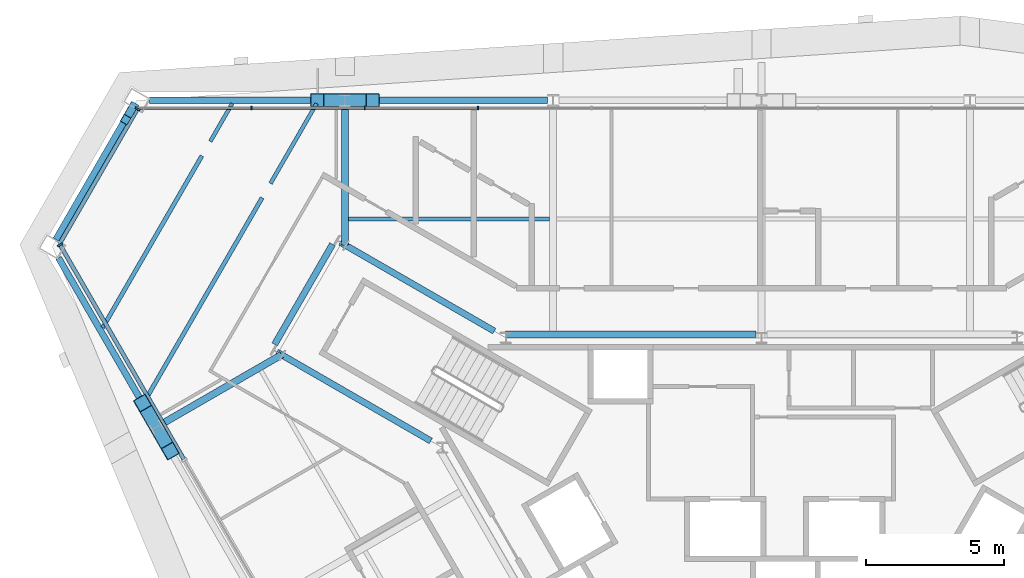
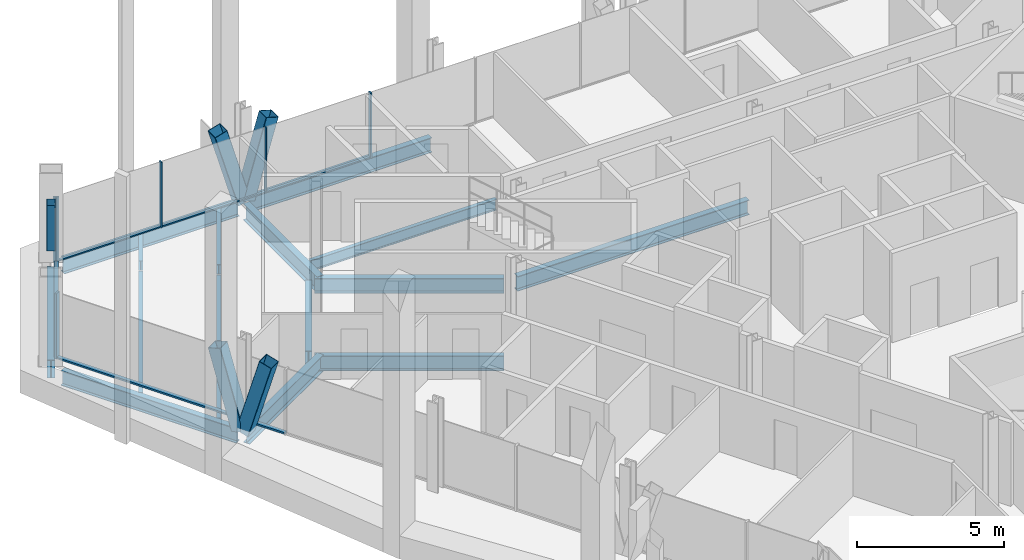
# One storey, part 5 of 14: 15 beams, 15 members, 3 elements without a shape of their own.
"""IFC4 building model written with IfcOpenShell, lengths in metres."""

from ifc_helpers import new_model, si_unit, direction, frame, origin, origin_2d, place, context, subcontext, project, spatial, rectangle, hollow_rectangle, i_section, extrude, material, material_profile, profile_set, type_object, element, aggregate, save


model = new_model("IFC4")

# Units and contexts
model_context = context("Model", 3, precision=1e-05, world=origin(), true_north=direction((0.0, 1.0)))
body_context = subcontext(model_context, "Body", "Model", "MODEL_VIEW")
ifc_project = project(units=[si_unit("LENGTHUNIT", "METRE"), si_unit("AREAUNIT", "SQUARE_METRE"), si_unit("VOLUMEUNIT", "CUBIC_METRE"), si_unit("PLANEANGLEUNIT", "RADIAN"), si_unit("MASSUNIT", "GRAM", prefix="KILO")], contexts=[model_context])

# Site, building, storey
site_placement = place(None, origin())
site = spatial("IfcSite", under=ifc_project, at=site_placement, CompositionType="ELEMENT")
building_placement = place(site_placement, origin())
building = spatial("IfcBuilding", under=site, at=building_placement, Name="Verrane Prism Tower", CompositionType="ELEMENT")
storey_placement = place(building_placement, frame((0.0, 0.0, 148.800048828125)))
storey = spatial("IfcBuildingStorey", under=building, at=storey_placement, Name="L36", CompositionType="ELEMENT", Elevation=148.800048828125)

# Member
ifc_material_1 = material(Name="Steel A500 Grade C", Category="steel")
ifc_material_profile_1 = material_profile(ifc_material_1, hollow_rectangle(XDim=0.3046875, YDim=0.3046875, WallThickness=0.0126953125, InnerFilletRadius=0.00634765625, OuterFilletRadius=0.01904296875, at=origin_2d()), Name="HSS12x12x1/2")
ifc_profile_set_1 = profile_set([ifc_material_profile_1], Name="Steel A500 Grade C")
member_type_1 = type_object("IfcMemberType", Name="Chamfer brace HSS12x12x1/2", PredefinedType="BRACE", material=ifc_profile_set_1)
member_1_placement = place(storey_placement, frame((-22.775146484375, 16.376220703125, 0.6015625), z_axis=(-0.115326879562, -0.199487168378, 0.97309022218), x_axis=(0.865737914398, -0.500497615952, 0.0)))
element("IfcMember", 1, at=member_1_placement, inside=storey, type_object=member_type_1, Name="Chamfer brace NW0 L36", PredefinedType="BRACE", context=body_context, shape_type="SweptSolid", body=[
    extrude(hollow_rectangle(XDim=0.3046875, YDim=0.3046875, WallThickness=0.0126953125, InnerFilletRadius=0.00634765625, OuterFilletRadius=0.01904296875, at=origin_2d()), origin(), (0.0, 0.0, 1.0), 2.326416015625),
])

# Beams
ifc_material_2 = material(Name="Steel A992", Category="steel")
ifc_material_profile_2 = material_profile(ifc_material_2, i_section(OverallWidth=0.2666015625, OverallDepth=0.7568359375, WebThickness=0.013916015625, FlangeThickness=0.019287109375, FilletRadius=0.0166015625, at=origin_2d()), Name="W30x108")
ifc_profile_set_2 = profile_set([ifc_material_profile_2], Name="Steel A992")
beam_type_1 = type_object("IfcBeamType", Name="Chamfer spandrel beam W30x108", PredefinedType="SPANDREL", material=ifc_profile_set_2)
beam_1_placement = place(storey_placement, frame((-22.790283203125, 16.350341796875, -0.53857421875), z_axis=(-0.50050398262, -0.865734233689, 0.0), x_axis=(0.865734233689, -0.50050398262, 0.0)))
element("IfcBeam", 2, at=beam_1_placement, inside=storey, type_object=beam_type_1, Name="Chamfer spandrel beam L36", PredefinedType="SPANDREL", context=body_context, shape_type="SweptSolid", body=[
    extrude(i_section(OverallWidth=0.2666015625, OverallDepth=0.7568359375, WebThickness=0.013916015625, FlangeThickness=0.019287109375, FilletRadius=0.0166015625, at=origin_2d()), origin(), (0.0, 0.0, 1.0), 5.533447265625),
])
ifc_material_3 = material(Name="Steel A992", Category="steel")
ifc_material_profile_3 = material_profile(ifc_material_3, i_section(OverallWidth=0.23046875, OverallDepth=0.6171875, WebThickness=0.01318359375, FlangeThickness=0.022216796875, FilletRadius=0.012939453125, at=origin_2d()), Name="W24x94")
ifc_profile_set_3 = profile_set([ifc_material_profile_3], Name="Steel A992")
beam_type_2 = type_object("IfcBeamType", Name="Core ring girder W24x94", PredefinedType="BEAM", material=ifc_profile_set_3)
beam_2_placement = place(storey_placement, frame((-0.20068359375, 8.130615234375, -0.55859375), z_axis=(-1.0, 0.0, 0.0), x_axis=(0.0, -1.0, 0.0)))
element("IfcBeam", 3, at=beam_2_placement, inside=storey, type_object=beam_type_2, Name="Core ring girder L36", PredefinedType="BEAM", context=body_context, shape_type="SweptSolid", body=[
    extrude(i_section(OverallWidth=0.23046875, OverallDepth=0.6171875, WebThickness=0.01318359375, FlangeThickness=0.022216796875, FilletRadius=0.012939453125, at=origin_2d()), origin(), (0.0, 0.0, 1.0), 9.084228515625),
])
beam_3_placement = place(storey_placement, frame((-9.68603515625, 8.24658203125, -0.55859375), z_axis=(-0.866138896394, 0.499803373492, 0.0), x_axis=(-0.499803373492, -0.866138896394, 0.0)))
element("IfcBeam", 4, at=beam_3_placement, inside=storey, type_object=beam_type_2, Name="Core ring girder L36", PredefinedType="BEAM", context=body_context, shape_type="SweptSolid", body=[
    extrude(i_section(OverallWidth=0.23046875, OverallDepth=0.6171875, WebThickness=0.01318359375, FlangeThickness=0.022216796875, FilletRadius=0.012939453125, at=origin_2d()), origin(), (0.0, 0.0, 1.0), 6.4423828125),
])
beam_4_placement = place(storey_placement, frame((-15.548095703125, 11.394775390625, -0.55859375), z_axis=(-0.500393099172, -0.865798328885, 0.0), x_axis=(0.865798328885, -0.500393099172, 0.0)))
element("IfcBeam", 5, at=beam_4_placement, inside=storey, type_object=beam_type_2, Name="Core ring girder L36", PredefinedType="BEAM", context=body_context, shape_type="SweptSolid", body=[
    extrude(i_section(OverallWidth=0.23046875, OverallDepth=0.6171875, WebThickness=0.01318359375, FlangeThickness=0.022216796875, FilletRadius=0.012939453125, at=origin_2d()), origin(), (0.0, 0.0, 1.0), 4.190673828125),
])
beam_5_placement = place(storey_placement, frame((-17.566162109375, 7.486572265625, -0.55859375), z_axis=(0.866138896394, -0.499803373492, 0.0), x_axis=(0.499803373492, 0.866138896394, 0.0)))
element("IfcBeam", 6, at=beam_5_placement, inside=storey, type_object=beam_type_2, Name="Core ring girder L36", PredefinedType="BEAM", context=body_context, shape_type="SweptSolid", body=[
    extrude(i_section(OverallWidth=0.23046875, OverallDepth=0.6171875, WebThickness=0.01318359375, FlangeThickness=0.022216796875, FilletRadius=0.012939453125, at=origin_2d()), origin(), (0.0, 0.0, 1.0), 6.4423828125),
])

# Members
ifc_material_4 = material(Name="Steel A500 Grade C", Category="steel")
ifc_material_profile_4 = material_profile(ifc_material_4, hollow_rectangle(XDim=0.508056640625, YDim=0.508056640625, WallThickness=0.01904296875, InnerFilletRadius=0.009521484375, OuterFilletRadius=0.028564453125, at=origin_2d()), Name="HSS20x20x3/4")
ifc_profile_set_4 = profile_set([ifc_material_profile_4], Name="Steel A500 Grade C")
member_type_2 = type_object("IfcMemberType", Name="Facade brace HSS20x20x3/4", PredefinedType="BRACE", material=ifc_profile_set_4)
member_2_placement = place(storey_placement, frame((-15.013427734375, 16.610107421875, -0.171630859375), z_axis=(0.279825762569, 0.0, 0.960050802095), x_axis=(0.0, 1.0, 0.0)))
element("IfcMember", 7, at=member_2_placement, inside=storey, type_object=member_type_2, Name="Facade brace N4 L36", PredefinedType="BRACE", context=body_context, shape_type="SweptSolid", body=[
    extrude(hollow_rectangle(XDim=0.508056640625, YDim=0.508056640625, WallThickness=0.01904296875, InnerFilletRadius=0.009521484375, OuterFilletRadius=0.028564453125, at=origin_2d()), origin(), (0.0, 0.0, 1.0), 3.2822265625),
])
for number, where, z_axis, x_axis, name in (
    (8, (-15.186279296875, 16.610107421875, -0.171630859375), (-0.279551496838, 0.0, 0.960130699757), (0.0, -1.0, 0.0), "Facade brace N5 L36"),
    (9, (-21.973388671875, 4.844970703125, -0.171630859375), (-0.14006879057, 0.242051962036, 0.960099776889), (-0.865529462177, -0.500858013915, 0.0), "Facade brace SW0 L36"),
):
    element("IfcMember", number, at=place(storey_placement, frame(where, z_axis=z_axis, x_axis=x_axis)), inside=storey, type_object=member_type_2, Name=name, PredefinedType="BRACE", context=body_context, shape_type="SweptSolid", body=[
        extrude(hollow_rectangle(XDim=0.508056640625, YDim=0.508056640625, WallThickness=0.01904296875, InnerFilletRadius=0.009521484375, OuterFilletRadius=0.028564453125, at=origin_2d()), origin(), (0.0, 0.0, 1.0), 3.281982421875),
    ])
member_3_placement = place(storey_placement, frame((-21.88671875, 4.695068359375, -0.171630859375), z_axis=(0.139764473405, -0.242412144133, 0.960053250789), x_axis=(0.866322743742, 0.499484638077, 0.0)))
element("IfcMember", 10, at=member_3_placement, inside=storey, type_object=member_type_2, Name="Facade brace SW1 L36", PredefinedType="BRACE", context=body_context, shape_type="SweptSolid", body=[
    extrude(hollow_rectangle(XDim=0.508056640625, YDim=0.508056640625, WallThickness=0.01904296875, InnerFilletRadius=0.009521484375, OuterFilletRadius=0.028564453125, at=origin_2d()), origin(), (0.0, 0.0, 1.0), 3.2822265625),
])

# Beams
ifc_material_5 = material(Name="Steel A992", Category="steel")
ifc_material_profile_5 = material_profile(ifc_material_5, i_section(OverallWidth=0.140380859375, OverallDepth=0.40380859375, WebThickness=0.007080078125, FlangeThickness=0.01123046875, FilletRadius=0.01025390625, at=origin_2d()), Name="W16x31")
ifc_profile_set_5 = profile_set([ifc_material_profile_5], Name="Steel A992")
beam_type_3 = type_object("IfcBeamType", Name="Floor beam W16x31", PredefinedType="BEAM", material=ifc_profile_set_5)
beam_6_placement = place(storey_placement, frame((-17.7958984375, 13.600341796875, -0.362060546875), z_axis=(0.499964822637, 0.866045712492, 0.0), x_axis=(-0.866045712492, 0.499964822637, 0.0)))
element("IfcBeam", 11, at=beam_6_placement, inside=storey, type_object=beam_type_3, Name="Floor beam L36", PredefinedType="BEAM", context=body_context, shape_type="SweptSolid", body=[
    extrude(i_section(OverallWidth=0.140380859375, OverallDepth=0.40380859375, WebThickness=0.007080078125, FlangeThickness=0.01123046875, FilletRadius=0.01025390625, at=origin_2d()), origin(), (0.0, 0.0, 1.0), 3.342529296875),
])
beam_7_placement = place(storey_placement, frame((-19.97802734375, 15.120849609375, -0.362060546875), z_axis=(0.500011000363, 0.866019052629, 0.0), x_axis=(-0.866019052629, 0.500011000363, 0.0)))
element("IfcBeam", 12, at=beam_7_placement, inside=storey, type_object=beam_type_3, Name="Floor beam L36", PredefinedType="BEAM", context=body_context, shape_type="SweptSolid", body=[
    extrude(i_section(OverallWidth=0.140380859375, OverallDepth=0.40380859375, WebThickness=0.007080078125, FlangeThickness=0.01123046875, FilletRadius=0.01025390625, at=origin_2d()), origin(), (0.0, 0.0, 1.0), 1.5869140625),
])
ifc_material_6 = material(Name="Steel A992", Category="steel")
ifc_material_profile_6 = material_profile(ifc_material_6, i_section(OverallWidth=0.15234375, OverallDepth=0.449462890625, WebThickness=0.007568359375, FlangeThickness=0.0107421875, FilletRadius=0.01025390625, at=origin_2d()), Name="W18x35")
ifc_profile_set_6 = profile_set([ifc_material_profile_6], Name="Steel A992")
beam_type_4 = type_object("IfcBeamType", Name="Floor beam W18x35", PredefinedType="BEAM", material=ifc_profile_set_6)
beam_8_placement = place(storey_placement, frame((-14.972900390625, 12.304931640625, -0.384765625), z_axis=(1.0, 0.0, 0.0), x_axis=(0.0, 1.0, 0.0)))
element("IfcBeam", 13, at=beam_8_placement, inside=storey, type_object=beam_type_4, Name="Floor beam L36", PredefinedType="BEAM", context=body_context, shape_type="SweptSolid", body=[
    extrude(i_section(OverallWidth=0.15234375, OverallDepth=0.449462890625, WebThickness=0.007568359375, FlangeThickness=0.0107421875, FilletRadius=0.01025390625, at=origin_2d()), origin(), (0.0, 0.0, 1.0), 7.2958984375),
])
beam_9_placement = place(storey_placement, frame((-22.347900390625, 5.72119140625, -0.384765625), z_axis=(0.499998509653, 0.866026264235, 0.0), x_axis=(-0.866026264235, 0.499998509653, 0.0)))
element("IfcBeam", 14, at=beam_9_placement, inside=storey, type_object=beam_type_4, Name="Floor beam L36", PredefinedType="BEAM", context=body_context, shape_type="SweptSolid", body=[
    extrude(i_section(OverallWidth=0.15234375, OverallDepth=0.449462890625, WebThickness=0.007568359375, FlangeThickness=0.0107421875, FilletRadius=0.01025390625, at=origin_2d()), origin(), (0.0, 0.0, 1.0), 8.49755859375),
])
beam_10_placement = place(storey_placement, frame((-23.880126953125, 8.368408203125, -0.384765625), z_axis=(0.500020988977, 0.866013285454, 0.0), x_axis=(-0.866013285454, 0.500020988977, 0.0)))
element("IfcBeam", 15, at=beam_10_placement, inside=storey, type_object=beam_type_4, Name="Floor beam L36", PredefinedType="BEAM", context=body_context, shape_type="SweptSolid", body=[
    extrude(i_section(OverallWidth=0.15234375, OverallDepth=0.449462890625, WebThickness=0.007568359375, FlangeThickness=0.0107421875, FilletRadius=0.01025390625, at=origin_2d()), origin(), (0.0, 0.0, 1.0), 7.197021484375),
])

# Curtain wall, members
ifc_material_7 = material(Name="Aluminium framed insulated glazing", Category="aluminium")
curtain_wall_type_1 = type_object("IfcCurtainWallType", Name="Curtain wall CW-C 4200 module", PredefinedType="NOTDEFINED", material=ifc_material_7)
curtain_wall_1_placement = place(storey_placement, origin())
curtain_wall_1 = element("IfcCurtainWall", 16, at=curtain_wall_1_placement, inside=storey, type_object=curtain_wall_type_1, Name="Glazed curtain wall north face L36", PredefinedType="NOTDEFINED")
ifc_material_8 = material(Name="Aluminium alloy 6063-T6", Category="aluminium")
ifc_material_profile_7 = material_profile(ifc_material_8, rectangle(XDim=0.139892578125, YDim=0.050048828125, at=origin_2d()), Name="Mullion 50x140 aluminium")
ifc_profile_set_7 = profile_set([ifc_material_profile_7], Name="Aluminium alloy 6063-T6")
member_type_3 = type_object("IfcMemberType", Name="Mullion 50x140 aluminium", PredefinedType="MULLION", material=ifc_profile_set_7)
member_4_placement = place(storey_placement, frame((-10.2724609375, 16.3310546875, 0.0), z_axis=(0.0, 0.0, 1.0), x_axis=(0.0, -1.0, 0.0)))
member_4 = element("IfcMember", 17, at=member_4_placement, type_object=member_type_3, Name="CW36.2 mullion 9", PredefinedType="MULLION", context=body_context, shape_type="SweptSolid", body=[
    extrude(rectangle(XDim=0.139892578125, YDim=0.050048828125, at=origin_2d()), origin(), (0.0, 0.0, 1.0), 2.712890625),
])
member_5_placement = place(storey_placement, frame((-14.381591796875, 16.3310546875, 0.0), z_axis=(0.0, 0.0, 1.0), x_axis=(0.0, -1.0, 0.0)))
member_5 = element("IfcMember", 18, at=member_5_placement, type_object=member_type_3, Name="CW36.2 mullion 10", PredefinedType="MULLION", context=body_context, shape_type="SweptSolid", body=[
    extrude(rectangle(XDim=0.139892578125, YDim=0.050048828125, at=origin_2d()), origin(), (0.0, 0.0, 1.0), 2.712890625),
])
member_6_placement = place(storey_placement, frame((-18.490478515625, 16.3310546875, 0.0), z_axis=(0.0, 0.0, 1.0), x_axis=(0.0, -1.0, 0.0)))
member_6 = element("IfcMember", 19, at=member_6_placement, type_object=member_type_3, Name="CW36.2 mullion 11", PredefinedType="MULLION", context=body_context, shape_type="SweptSolid", body=[
    extrude(rectangle(XDim=0.139892578125, YDim=0.050048828125, at=origin_2d()), origin(), (0.0, 0.0, 1.0), 2.712890625),
])

# Curtain wall, member
ifc_material_9 = material(Name="Aluminium framed insulated glazing", Category="aluminium")
curtain_wall_type_2 = type_object("IfcCurtainWallType", Name="Curtain wall CW-A 8400 module", PredefinedType="NOTDEFINED", material=ifc_material_9)
curtain_wall_2_placement = place(storey_placement, origin())
curtain_wall_2 = element("IfcCurtainWall", 20, at=curtain_wall_2_placement, inside=storey, type_object=curtain_wall_type_2, Name="Glazed curtain wall north-west corner L36", PredefinedType="NOTDEFINED")
ifc_material_10 = material(Name="Aluminium alloy 6063-T6", Category="aluminium")
ifc_material_profile_8 = material_profile(ifc_material_10, rectangle(XDim=0.199951171875, YDim=0.070068359375, at=origin_2d()), Name="Mullion 70x200 aluminium")
ifc_profile_set_8 = profile_set([ifc_material_profile_8], Name="Aluminium alloy 6063-T6")
member_type_4 = type_object("IfcMemberType", Name="Mullion 70x200 aluminium", PredefinedType="MULLION", material=ifc_profile_set_8)
member_7_placement = place(storey_placement, frame((-22.6171875, 16.30078125, 0.0), z_axis=(0.0, 0.0, 1.0), x_axis=(0.866023642559, -0.50000305052, 0.0)))
member_7 = element("IfcMember", 21, at=member_7_placement, type_object=member_type_4, Name="CW36.3 mullion 1", PredefinedType="MULLION", context=body_context, shape_type="SweptSolid", body=[
    extrude(rectangle(XDim=0.199951171875, YDim=0.070068359375, at=origin_2d()), origin(), (0.0, 0.0, 1.0), 2.712890625),
])

curtain_wall_3_placement = place(storey_placement, origin())
curtain_wall_3 = element("IfcCurtainWall", 22, at=curtain_wall_3_placement, inside=storey, type_object=curtain_wall_type_2, Name="Glazed curtain wall south-west face L36", PredefinedType="NOTDEFINED")
member_8_placement = place(storey_placement, frame((-25.42529296875, 11.3759765625, 0.0), z_axis=(0.0, 0.0, 1.0), x_axis=(0.866025097191, 0.500000531035, 0.0)))
member_8 = element("IfcMember", 23, at=member_8_placement, type_object=member_type_4, Name="CW36.4 mullion 1", PredefinedType="MULLION", context=body_context, shape_type="SweptSolid", body=[
    extrude(rectangle(XDim=0.199951171875, YDim=0.070068359375, at=origin_2d()), origin(), (0.0, 0.0, 1.0), 2.712890625),
])

# Beams
ifc_material_11 = material(Name="Steel A992", Category="steel")
ifc_material_profile_9 = material_profile(ifc_material_11, i_section(OverallWidth=0.25390625, OverallDepth=0.683349609375, WebThickness=0.012451171875, FlangeThickness=0.01904296875, FilletRadius=0.01513671875, at=origin_2d()), Name="W27x94")
ifc_profile_set_9 = profile_set([ifc_material_profile_9], Name="Steel A992")
beam_type_5 = type_object("IfcBeamType", Name="Radial girder W27x94", PredefinedType="BEAM", material=ifc_profile_set_9)
beam_11_placement = place(storey_placement, frame((-15.10009765625, 16.392822265625, -0.561767578125), z_axis=(0.0, -1.0, 0.0), x_axis=(1.0, 0.0, 0.0)))
element("IfcBeam", 24, at=beam_11_placement, inside=storey, type_object=beam_type_5, Name="Radial girder L36", PredefinedType="BEAM", context=body_context, shape_type="SweptSolid", body=[
    extrude(i_section(OverallWidth=0.25390625, OverallDepth=0.683349609375, WebThickness=0.012451171875, FlangeThickness=0.01904296875, FilletRadius=0.01513671875, at=origin_2d()), origin(), (0.0, 0.0, 1.0), 5.022216796875),
])
beam_12_placement = place(storey_placement, frame((-21.741943359375, 4.878662109375, -0.561767578125), z_axis=(0.866016279763, 0.500015802937, 0.0), x_axis=(-0.500015802937, 0.866016279763, 0.0)))
element("IfcBeam", 25, at=beam_12_placement, inside=storey, type_object=beam_type_5, Name="Radial girder L36", PredefinedType="BEAM", context=body_context, shape_type="SweptSolid", body=[
    extrude(i_section(OverallWidth=0.25390625, OverallDepth=0.683349609375, WebThickness=0.012451171875, FlangeThickness=0.01904296875, FilletRadius=0.01513671875, at=origin_2d()), origin(), (0.0, 0.0, 1.0), 5.018798828125),
])
ifc_material_12 = material(Name="Steel A992", Category="steel")
ifc_material_profile_10 = material_profile(ifc_material_12, i_section(OverallWidth=0.23046875, OverallDepth=0.6171875, WebThickness=0.01318359375, FlangeThickness=0.022216796875, FilletRadius=0.012939453125, at=origin_2d()), Name="W24x94")
ifc_profile_set_10 = profile_set([ifc_material_profile_10], Name="Steel A992")
beam_type_6 = type_object("IfcBeamType", Name="Spandrel beam W24x94", PredefinedType="SPANDREL", material=ifc_profile_set_10)
beam_13_placement = place(storey_placement, frame((-7.755615234375, 16.610107421875, -0.46875), z_axis=(-1.0, 0.0, 0.0), x_axis=(0.0, -1.0, 0.0)))
element("IfcBeam", 26, at=beam_13_placement, inside=storey, type_object=beam_type_6, Name="Spandrel beam L36", PredefinedType="SPANDREL", context=body_context, shape_type="SweptSolid", body=[
    extrude(i_section(OverallWidth=0.23046875, OverallDepth=0.6171875, WebThickness=0.01318359375, FlangeThickness=0.022216796875, FilletRadius=0.012939453125, at=origin_2d()), origin(), (0.0, 0.0, 1.0), 7.138671875),
])
beam_14_placement = place(storey_placement, frame((-15.3056640625, 16.610107421875, -0.46875), z_axis=(-1.0, 0.0, 0.0), x_axis=(0.0, -1.0, 0.0)))
element("IfcBeam", 27, at=beam_14_placement, inside=storey, type_object=beam_type_6, Name="Spandrel beam L36", PredefinedType="SPANDREL", context=body_context, shape_type="SweptSolid", body=[
    extrude(i_section(OverallWidth=0.23046875, OverallDepth=0.6171875, WebThickness=0.01318359375, FlangeThickness=0.022216796875, FilletRadius=0.012939453125, at=origin_2d()), origin(), (0.0, 0.0, 1.0), 6.872314453125),
])
beam_15_placement = place(storey_placement, frame((-25.478759765625, 10.900390625, -0.46875), z_axis=(0.500974701182, -0.865461927976, 0.0), x_axis=(0.865461927976, 0.500974701182, 0.0)))
element("IfcBeam", 28, at=beam_15_placement, inside=storey, type_object=beam_type_6, Name="Spandrel beam L36", PredefinedType="SPANDREL", context=body_context, shape_type="SweptSolid", body=[
    extrude(i_section(OverallWidth=0.23046875, OverallDepth=0.6171875, WebThickness=0.01318359375, FlangeThickness=0.022216796875, FilletRadius=0.012939453125, at=origin_2d()), origin(), (0.0, 0.0, 1.0), 6.877685546875),
])

# Member
ifc_material_13 = material(Name="Aluminium alloy 6063-T6", Category="aluminium")
ifc_material_profile_11 = material_profile(ifc_material_13, rectangle(XDim=0.10009765625, YDim=0.050048828125, at=origin_2d()), Name="Transom 50x100 aluminium")
ifc_profile_set_11 = profile_set([ifc_material_profile_11], Name="Aluminium alloy 6063-T6")
member_type_5 = type_object("IfcMemberType", Name="Transom 50x100 aluminium", PredefinedType="USERDEFINED", material=ifc_profile_set_11)
member_9_placement = place(storey_placement, frame((-10.297607421875, 16.3310546875, 0.02490234375), z_axis=(-1.0, 0.0, 0.0), x_axis=(0.0, -1.0, 0.0)))
member_9 = element("IfcMember", 29, at=member_9_placement, type_object=member_type_5, Name="CW36.2 transom 9", ObjectType="TRANSOM", PredefinedType="USERDEFINED", context=body_context, shape_type="SweptSolid", body=[
    extrude(rectangle(XDim=0.10009765625, YDim=0.050048828125, at=origin_2d()), origin(), (0.0, 0.0, 1.0), 4.058837890625),
])

member_10_placement = place(storey_placement, frame((-14.406494140625, 16.3310546875, 0.02490234375), z_axis=(-1.0, 0.0, 0.0), x_axis=(0.0, -1.0, 0.0)))
member_10 = element("IfcMember", 30, at=member_10_placement, type_object=member_type_5, Name="CW36.2 transom 10", ObjectType="TRANSOM", PredefinedType="USERDEFINED", context=body_context, shape_type="SweptSolid", body=[
    extrude(rectangle(XDim=0.10009765625, YDim=0.050048828125, at=origin_2d()), origin(), (0.0, 0.0, 1.0), 4.05908203125),
])

member_11_placement = place(storey_placement, frame((-18.515625, 16.3310546875, 0.02490234375), z_axis=(-1.0, 0.0, 0.0), x_axis=(0.0, -1.0, 0.0)))
member_11 = element("IfcMember", 31, at=member_11_placement, type_object=member_type_5, Name="CW36.2 transom 11", ObjectType="TRANSOM", PredefinedType="USERDEFINED", context=body_context, shape_type="SweptSolid", body=[
    extrude(rectangle(XDim=0.10009765625, YDim=0.050048828125, at=origin_2d()), origin(), (0.0, 0.0, 1.0), 4.083984375),
])

aggregate(curtain_wall_1, [member_4, member_5, member_6, member_9, member_10, member_11])

ifc_material_14 = material(Name="Aluminium alloy 6063-T6", Category="aluminium")
ifc_material_profile_12 = material_profile(ifc_material_14, rectangle(XDim=0.14990234375, YDim=0.070068359375, at=origin_2d()), Name="Transom 70x150 aluminium")
ifc_profile_set_12 = profile_set([ifc_material_profile_12], Name="Aluminium alloy 6063-T6")
member_type_6 = type_object("IfcMemberType", Name="Transom 70x150 aluminium", PredefinedType="USERDEFINED", material=ifc_profile_set_12)
member_12_placement = place(storey_placement, frame((-22.634521484375, 16.270263671875, 0.034912109375), z_axis=(-0.50001468958, -0.866016922585, 0.0), x_axis=(0.866016922585, -0.50001468958, 0.0)))
member_12 = element("IfcMember", 32, at=member_12_placement, type_object=member_type_6, Name="CW36.3 transom 1", ObjectType="TRANSOM", PredefinedType="USERDEFINED", context=body_context, shape_type="SweptSolid", body=[
    extrude(rectangle(XDim=0.14990234375, YDim=0.070068359375, at=origin_2d()), origin(), (0.0, 0.0, 1.0), 5.616455078125),
])

aggregate(curtain_wall_2, [member_7, member_12])

member_13_placement = place(storey_placement, frame((-25.407958984375, 11.345703125, 0.034912109375), z_axis=(0.500009438539, -0.866019954373, 0.0), x_axis=(0.866019954373, 0.500009438539, 0.0)))
member_13 = element("IfcMember", 33, at=member_13_placement, type_object=member_type_6, Name="CW36.4 transom 1", ObjectType="TRANSOM", PredefinedType="USERDEFINED", context=body_context, shape_type="SweptSolid", body=[
    extrude(rectangle(XDim=0.14990234375, YDim=0.070068359375, at=origin_2d()), origin(), (0.0, 0.0, 1.0), 8.934814453125),
])

aggregate(curtain_wall_3, [member_8, member_13])

save(model, "model.ifc")
